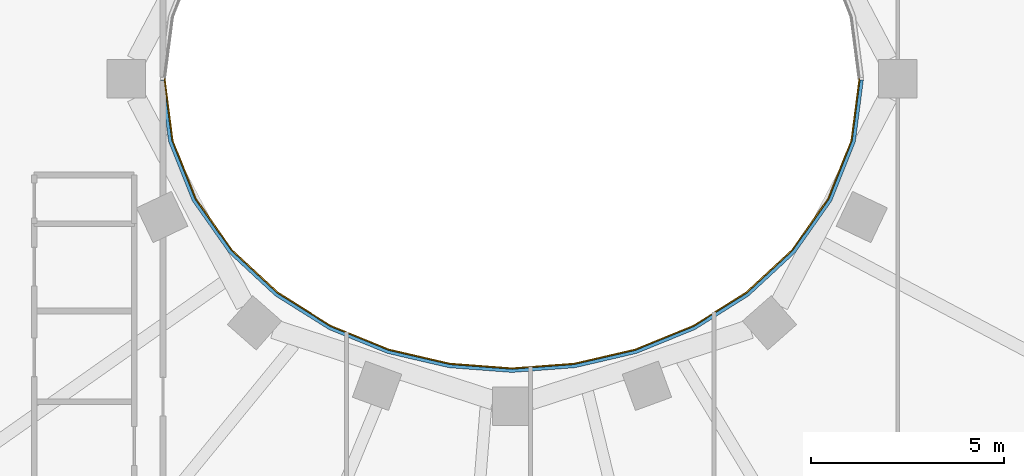
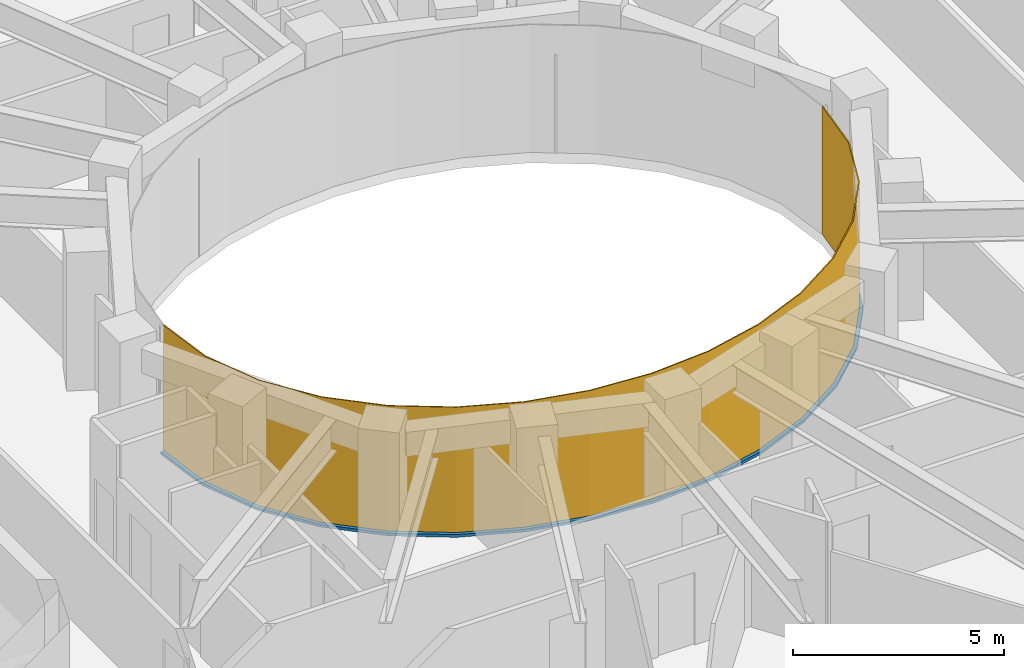
# One storey, part 9 of 16: 1 curtain wall, 1 member.
"""IFC4 building model written with IfcOpenShell, lengths in metres."""

from ifc_helpers import new_model, si_unit, direction, frame, origin, place, context, subcontext, project, spatial, polyline, outline, extrude, material, layer, layer_set, type_object, element, aggregate, save


model = new_model("IFC4")

# Units and contexts
model_context = context("Model", 3, precision=1e-05, world=origin(), true_north=direction((0.0, 1.0)))
body_context = subcontext(model_context, "Body", "Model", "MODEL_VIEW")
ifc_project = project(units=[si_unit("LENGTHUNIT", "METRE"), si_unit("AREAUNIT", "SQUARE_METRE"), si_unit("VOLUMEUNIT", "CUBIC_METRE"), si_unit("PLANEANGLEUNIT", "RADIAN"), si_unit("MASSUNIT", "GRAM", prefix="KILO")], contexts=[model_context])

# Member
ifc_material_1 = material(Name="Steel S355 fire-resisting frame", Category="steel")
member_type = type_object("IfcMemberType", Name="ENV-TRANSOM-W", PredefinedType="USERDEFINED", material=ifc_material_1)
site_placement = place(None, origin())
building_placement = place(site_placement, origin())
storey_placement = place(building_placement, frame((0.0, 0.0, 257.5)))
member_placement = place(storey_placement, origin())
member = element("IfcMember", 1, at=member_placement, type_object=member_type, Name="Transom W well 17-01", ObjectType="TRANSOM", PredefinedType="USERDEFINED", context=body_context, shape_type="SweptSolid", body=[
    extrude(outline(polyline([(-9.119384765625, -0.02783203125), (-8.910400390625, -1.63623046875), (-8.29833984375, -3.167236328125), (-7.35107421875, -4.5146484375), (-6.1455078125, -5.6337890625), (-4.75341796875, -6.50634765625), (-3.233642578125, -7.127685546875), (-1.635498046875, -7.498779296875), (0.0, -7.622314453125), (1.635498046875, -7.498779296875), (3.233642578125, -7.127685546875), (4.75341796875, -6.50634765625), (6.1455078125, -5.6337890625), (7.35107421875, -4.5146484375), (8.29833984375, -3.167236328125), (8.910400390625, -1.63623046875), (9.119384765625, -0.02783203125), (9.02880859375, -0.02783203125), (8.822509765625, -1.61328125), (8.21875, -3.124267578125), (7.282958984375, -4.455078125), (6.090576171875, -5.56201171875), (4.712158203125, -6.426025390625), (3.206298828125, -7.04150390625), (1.621826171875, -7.40966796875), (0.0, -7.531982421875), (-1.621826171875, -7.40966796875), (-3.206298828125, -7.04150390625), (-4.712158203125, -6.426025390625), (-6.090576171875, -5.56201171875), (-7.282958984375, -4.455078125), (-8.21875, -3.124267578125), (-8.822509765625, -1.61328125), (-9.02880859375, -0.02783203125), (-9.119384765625, -0.02783203125)])), origin(), (0.0, 0.0, 1.0), 0.080078125),
])

# Site, building, storey
site = spatial("IfcSite", under=ifc_project, at=site_placement, CompositionType="ELEMENT")
building = spatial("IfcBuilding", under=site, at=building_placement, Name="Noorbagh Ring Tower", CompositionType="ELEMENT")
storey = spatial("IfcBuildingStorey", under=building, at=storey_placement, Name="L54", CompositionType="ELEMENT", Elevation=257.5)

# Curtain wall
ifc_material_2 = material(Name="Glass fire-resisting E60 laminated", Category="glass")
ifc_layer = layer(ifc_material_2, 0.031982421875)
ifc_layer_set = layer_set([ifc_layer], Name="Glass fire-resisting E60 laminated")
curtain_wall_type = type_object("IfcCurtainWallType", Name="ENV-CW-W", PredefinedType="NOTDEFINED", material=ifc_layer_set)
curtain_wall_placement = place(storey_placement, origin())
curtain_wall = element("IfcCurtainWall", 2, at=curtain_wall_placement, inside=storey, type_object=curtain_wall_type, Name="Curtain wall W W17", PredefinedType="NOTDEFINED", context=body_context, shape_type="SweptSolid", body=[
    extrude(outline(polyline([(-9.0322265625, 0.0), (-8.822509765625, -1.61328125), (-8.21875, -3.124267578125), (-7.282958984375, -4.455078125), (-6.090576171875, -5.56201171875), (-4.712158203125, -6.426025390625), (-3.206298828125, -7.04150390625), (-1.621826171875, -7.40966796875), (0.0, -7.531982421875), (1.621826171875, -7.40966796875), (3.206298828125, -7.04150390625), (4.712158203125, -6.426025390625), (6.090576171875, -5.56201171875), (7.282958984375, -4.455078125), (8.21875, -3.124267578125), (8.822509765625, -1.61328125), (9.0322265625, 0.0), (9.0, 0.0), (8.79150390625, -1.605224609375), (8.1904296875, -3.10888671875), (7.2587890625, -4.43408203125), (6.071044921875, -5.53662109375), (4.697509765625, -6.3974609375), (3.196533203125, -7.010986328125), (1.6171875, -7.3779296875), (0.0, -7.5), (-1.6171875, -7.3779296875), (-3.196533203125, -7.010986328125), (-4.697509765625, -6.3974609375), (-6.071044921875, -5.53662109375), (-7.2587890625, -4.43408203125), (-8.1904296875, -3.10888671875), (-8.79150390625, -1.605224609375), (-9.0, 0.0), (-9.0322265625, 0.0)])), origin(), (0.0, 0.0, 1.0), 3.699951171875),
])

aggregate(curtain_wall, [member])

save(model, "model.ifc")
